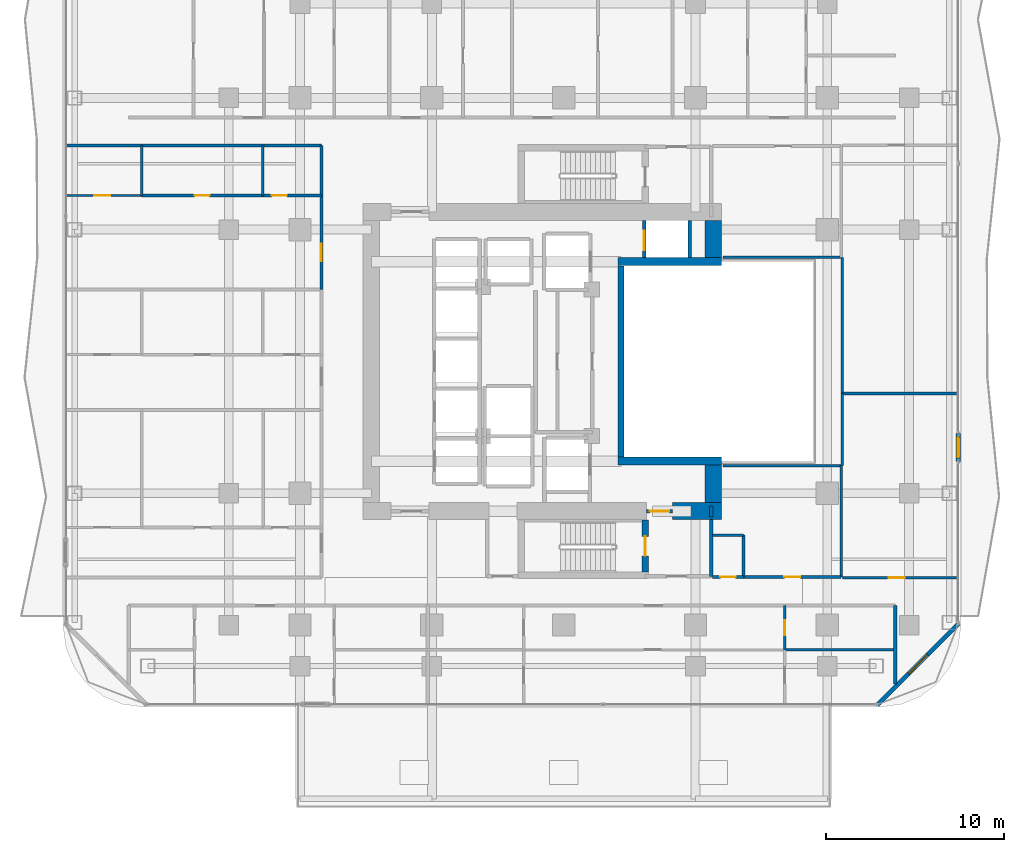
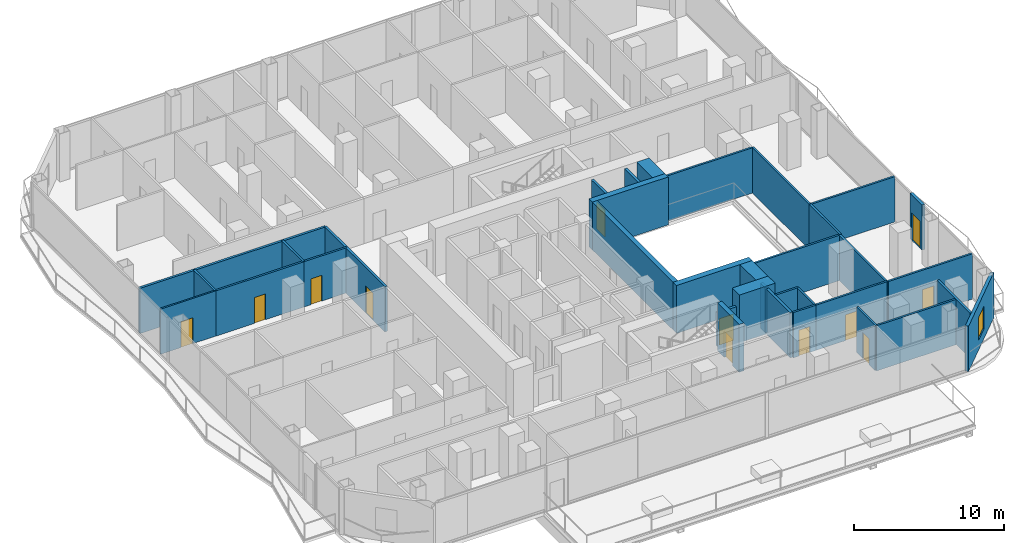
# One storey, part 21 of 29: 35 walls, 12 doors, 1 window, 13 openings.
"""IFC4 building model written with IfcOpenShell, lengths in metres."""

from ifc_helpers import new_model, si_unit, direction, frame, frame_2d, origin, place, context, subcontext, project, spatial, rectangle, extrude, material, layer, layer_set, type_object, element, fill, save


model = new_model("IFC4")

# Units and contexts
model_context = context("Model", 3, precision=1e-05, world=origin(), true_north=direction((0.0, 1.0)))
body_context = subcontext(model_context, "Body", "Model", "MODEL_VIEW")
ifc_project = project(units=[si_unit("LENGTHUNIT", "METRE"), si_unit("AREAUNIT", "SQUARE_METRE"), si_unit("VOLUMEUNIT", "CUBIC_METRE"), si_unit("PLANEANGLEUNIT", "RADIAN"), si_unit("MASSUNIT", "GRAM", prefix="KILO")], contexts=[model_context])

# Site, building, storey
site_placement = place(None, origin())
site = spatial("IfcSite", under=ifc_project, at=site_placement, CompositionType="ELEMENT")
building_placement = place(site_placement, origin())
building = spatial("IfcBuilding", under=site, at=building_placement, Name="Khorvyn Point Tower", CompositionType="ELEMENT")
storey_placement = place(building_placement, frame((0.0, 0.0, 85.199951171875)))
storey = spatial("IfcBuildingStorey", under=building, at=storey_placement, Name="L21", CompositionType="ELEMENT", Elevation=85.199951171875)

# Wall, opening, door
ifc_material_1 = material(Name="Double acoustic gypsum on twin steel stud", Category="steel")
ifc_layer_1 = layer(ifc_material_1, 0.179931640625)
ifc_layer_set_1 = layer_set([ifc_layer_1], Name="Acoustic Double-Stud Apartment Demising Wall 180")
wall_type_1 = type_object("IfcWallType", Name="Acoustic Double-Stud Apartment Demising Wall 180", PredefinedType="PARTITIONING", material=ifc_layer_set_1)
wall_1_placement = place(storey_placement, frame((-13.60009765625, 4.0400390625, 0.0), z_axis=(0.0, 0.0, 1.0), x_axis=(0.0, 1.0, 0.0)))
wall_1 = element("IfcWall", 1, at=wall_1_placement, inside=storey, type_object=wall_type_1, Name="Wall", PredefinedType="PARTITIONING", context=body_context, shape_type="SweptSolid", body=[
    extrude(rectangle(XDim=8.080078125, YDim=0.179931640625, at=frame_2d((4.0400390625, 0.0))), origin(), (0.0, 0.0, 1.0), 3.679931640625),
])
opening_1_placement = place(wall_1_placement, frame((1.583251953125, 0.0, 0.0)))
opening_1 = element("IfcOpeningElement", 2, at=opening_1_placement, cuts=wall_1, Name="Opening ID-AP60", PredefinedType="OPENING", context=body_context, shape_type="SweptSolid", body=[
    extrude(rectangle(XDim=1.0, YDim=2.199951171875, at=frame_2d((0.5, 1.10009765625))), frame((0.0, 0.099853515625, 0.0), z_axis=(0.0, -1.0, 0.0), x_axis=(1.0, 0.0, 0.0)), (0.0, 0.0, 1.0), 0.199951171875),
])
ifc_material_2 = material(Name="Engineered hardwood fire-rated leaf", Category="wood")
door_type_1 = type_object("IfcDoorType", Name="Acoustic Solid-Core Timber Apartment Entrance Door 1000x2200", OperationType="NOTDEFINED", PredefinedType="DOOR", material=ifc_material_2)
door_1_placement = place(opening_1_placement, origin())
door_1 = element("IfcDoor", 3, at=door_1_placement, inside=storey, type_object=door_type_1, Name="Door", OperationType="SINGLE_SWING_LEFT", OverallHeight=2.199951171875, OverallWidth=1.0, PredefinedType="DOOR", context=body_context, shape_type="SweptSolid", body=[
    extrude(rectangle(XDim=1.0, YDim=2.199951171875, at=frame_2d((0.5, 1.10009765625))), frame((0.0, 0.02490234375, 0.0), z_axis=(0.0, -1.0, 0.0), x_axis=(1.0, 0.0, 0.0)), (0.0, 0.0, 1.0), 0.050048828125),
])
fill(opening_1, door_1)

# Walls
wall_2_placement = place(storey_placement, frame((18.6201171875, -18.110107421875, 0.0), z_axis=(0.0, 0.0, 1.0), x_axis=(0.0, 1.0, 0.0)))
element("IfcWall", 4, at=wall_2_placement, inside=storey, type_object=wall_type_1, Name="Wall", PredefinedType="PARTITIONING", context=body_context, shape_type="SweptSolid", body=[
    extrude(rectangle(XDim=4.41015625, YDim=0.179931640625, at=frame_2d((2.205078125, 0.0))), origin(), (0.0, 0.0, 1.0), 3.679931640625),
])
wall_3_placement = place(storey_placement, frame((-27.929931640625, 12.1201171875, 0.0), z_axis=(0.0, 0.0, 1.0), x_axis=(1.0, 0.0, 0.0)))
element("IfcWall", 5, at=wall_3_placement, inside=storey, type_object=wall_type_1, Name="Wall", PredefinedType="PARTITIONING", context=body_context, shape_type="SweptSolid", body=[
    extrude(rectangle(XDim=14.329833984375, YDim=0.179931640625, at=frame_2d((7.1650390625, 0.0))), origin(), (0.0, 0.0, 1.0), 3.679931640625),
])

# Wall, opening, door
ifc_material_3 = material(Name="Pale anodised aluminium rainscreen on steel stud", Category="steel")
ifc_layer_2 = layer(ifc_material_3, 0.239990234375)
ifc_layer_set_2 = layer_set([ifc_layer_2], Name="Anodised Aluminium Insulated Corner Spandrel Wall 240")
wall_type_2 = type_object("IfcWallType", Name="Anodised Aluminium Insulated Corner Spandrel Wall 240", PredefinedType="SOLIDWALL", material=ifc_layer_set_2)
wall_4_placement = place(storey_placement, frame((22.14990234375, -4.0400390625, 0.0), z_axis=(0.0, 0.0, 1.0), x_axis=(0.0, -1.0, 0.0)))
wall_4 = element("IfcWall", 6, at=wall_4_placement, inside=storey, type_object=wall_type_2, Name="L21 East Outdoor Threshold Wall", PredefinedType="SOLIDWALL", context=body_context, shape_type="SweptSolid", body=[
    extrude(rectangle(XDim=1.580078125, YDim=0.239990234375, at=frame_2d((0.7900390625, 0.0))), origin(), (0.0, 0.0, 1.0), 3.679931640625),
])
opening_2_placement = place(wall_4_placement, frame((0.239990234375, 0.0, 0.0)))
opening_2 = element("IfcOpeningElement", 7, at=opening_2_placement, cuts=wall_4, Name="Opening BD-1122", PredefinedType="OPENING", context=body_context, shape_type="SweptSolid", body=[
    extrude(rectangle(XDim=1.10009765625, YDim=2.199951171875, at=frame_2d((0.550048828125, 1.10009765625))), frame((0.0, 0.1298828125, 0.0), z_axis=(0.0, -1.0, 0.0), x_axis=(1.0, 0.0, 0.0)), (0.0, 0.0, 1.0), 0.260009765625),
])
ifc_material_4 = material(Name="Anodised aluminium 6063-T6 and laminated Low-E glass", Category="aluminium")
door_type_2 = type_object("IfcDoorType", Name="Glazed Balcony and Terrace Threshold Door 1100x2200", OperationType="NOTDEFINED", PredefinedType="DOOR", material=ifc_material_4)
door_2_placement = place(opening_2_placement, origin())
door_2 = element("IfcDoor", 8, at=door_2_placement, inside=storey, type_object=door_type_2, Name="L21 East Glazed Balcony Outdoor Door", OperationType="SINGLE_SWING_RIGHT", OverallHeight=2.199951171875, OverallWidth=1.10009765625, PredefinedType="DOOR", context=body_context, shape_type="SweptSolid", body=[
    extrude(rectangle(XDim=1.10009765625, YDim=2.199951171875, at=frame_2d((0.550048828125, 1.10009765625))), frame((0.0, 0.02490234375, 0.0), z_axis=(0.0, -1.0, 0.0), x_axis=(1.0, 0.0, 0.0)), (0.0, 0.0, 1.0), 0.050048828125),
])
fill(opening_2, door_2)

# Wall, opening, window
wall_5_placement = place(storey_placement, frame((22.1923828125, -14.70751953125, 0.0), z_axis=(0.0, 0.0, 1.0), x_axis=(-0.707087954376, -0.707125607496, 0.0)))
wall_5 = element("IfcWall", 9, at=wall_5_placement, inside=storey, type_object=wall_type_2, Name="L21 Rounded Corner Wall SE", PredefinedType="SOLIDWALL", context=body_context, shape_type="SweptSolid", body=[
    extrude(rectangle(XDim=6.48388671875, YDim=0.239990234375, at=frame_2d((3.241943359375, 0.0))), origin(), (0.0, 0.0, 1.0), 3.679931640625),
])
opening_3_placement = place(wall_5_placement, frame((2.491943359375, 0.0, 0.800048828125)))
opening_3 = element("IfcOpeningElement", 10, at=opening_3_placement, cuts=wall_5, Name="Opening WN-1518", PredefinedType="OPENING", context=body_context, shape_type="SweptSolid", body=[
    extrude(rectangle(XDim=1.5, YDim=1.85009765625, at=frame_2d((0.75, 0.925048828125))), frame((0.0, 0.1298828125, 0.0), z_axis=(0.0, -1.0, 0.0), x_axis=(1.0, 0.0, 0.0)), (0.0, 0.0, 1.0), 0.260009765625),
])
window_type = type_object("IfcWindowType", Name="Anodised Aluminium Rounded-Corner Panoramic Window 1500x1850", PartitioningType="SINGLE_PANEL", PredefinedType="WINDOW", material=ifc_material_4)
window_placement = place(opening_3_placement, origin())
window = element("IfcWindow", 11, at=window_placement, inside=storey, type_object=window_type, Name="L21 Corner Panoramic Window SE", OverallHeight=1.85009765625, OverallWidth=1.5, PartitioningType="SINGLE_PANEL", PredefinedType="WINDOW", context=body_context, shape_type="SweptSolid", body=[
    extrude(rectangle(XDim=1.5, YDim=1.85009765625, at=frame_2d((0.75, 0.925048828125))), frame((0.0, 0.030029296875, 0.0), z_axis=(0.0, -1.0, 0.0), x_axis=(1.0, 0.0, 0.0)), (0.0, 0.0, 1.0), 0.06005859375),
])
fill(opening_3, window)

# Walls
ifc_material_5 = material(Name="Concrete C40/50", Category="concrete")
ifc_layer_3 = layer(ifc_material_5, 0.449951171875)
ifc_layer_set_3 = layer_set([ifc_layer_3], Name="Concrete C40/50 Core Shear Wall 450")
wall_type_3 = type_object("IfcWallType", Name="Concrete C40/50 Core Shear Wall 450", PredefinedType="SHEAR", material=ifc_layer_set_3)
for number, where, z_axis, x_axis, name in (
    (12, (3.044921875, -5.60009765625, 0.0), (0.0, 0.0, 1.0), (1.0, 0.0, 0.0), "Wall"),
    (13, (3.044921875, 5.60009765625, 0.0), (0.0, 0.0, 1.0), (1.0, 0.0, 0.0), "Wall"),
):
    element("IfcWall", number, at=place(storey_placement, frame(where, z_axis=z_axis, x_axis=x_axis)), inside=storey, type_object=wall_type_3, Name=name, PredefinedType="SHEAR", context=body_context, shape_type="SweptSolid", body=[
        extrude(rectangle(XDim=5.830078125, YDim=0.449951171875, at=frame_2d((2.9150390625, 0.0))), origin(), (0.0, 0.0, 1.0), 3.900146484375),
    ])

# Wall, opening, door
ifc_layer_4 = layer(ifc_material_5, 0.199951171875)
ifc_layer_set_4 = layer_set([ifc_layer_4], Name="Concrete C40/50 Fire-Lobby Compartment Wall 200")
wall_type_4 = type_object("IfcWallType", Name="Concrete C40/50 Fire-Lobby Compartment Wall 200", PredefinedType="SOLIDWALL", material=ifc_layer_set_4)
wall_6_placement = place(storey_placement, frame((4.64990234375, -8.39990234375, 0.0), z_axis=(0.0, 0.0, 1.0), x_axis=(1.0, 0.0, 0.0)))
wall_6 = element("IfcWall", 14, at=wall_6_placement, inside=storey, type_object=wall_type_4, Name="Wall", PredefinedType="SOLIDWALL", context=body_context, shape_type="SweptSolid", body=[
    extrude(rectangle(XDim=1.47021484375, YDim=0.199951171875, at=frame_2d((0.735107421875, 0.0))), origin(), (0.0, 0.0, 1.0), 2.719970703125),
])
opening_4_placement = place(wall_6_placement, frame((0.18505859375, 0.0, 0.0)))
opening_4 = element("IfcOpeningElement", 15, at=opening_4_placement, cuts=wall_6, Name="Opening ID-FL90", PredefinedType="OPENING", context=body_context, shape_type="SweptSolid", body=[
    extrude(rectangle(XDim=1.10009765625, YDim=2.14990234375, at=frame_2d((0.550048828125, 1.074951171875))), frame((0.0, 0.10986328125, 0.0), z_axis=(0.0, -1.0, 0.0), x_axis=(1.0, 0.0, 0.0)), (0.0, 0.0, 1.0), 0.219970703125),
])
ifc_material_6 = material(Name="Galvanised powder-coated steel", Category="steel")
door_type_3 = type_object("IfcDoorType", Name="Fire-Rated Steel Lobby and Stair Door 1100x2150", OperationType="NOTDEFINED", PredefinedType="DOOR", material=ifc_material_6)
door_3_placement = place(opening_4_placement, origin())
door_3 = element("IfcDoor", 16, at=door_3_placement, inside=storey, type_object=door_type_3, Name="Door", OperationType="SINGLE_SWING_LEFT", OverallHeight=2.14990234375, OverallWidth=1.10009765625, PredefinedType="DOOR", context=body_context, shape_type="SweptSolid", body=[
    extrude(rectangle(XDim=1.10009765625, YDim=2.14990234375, at=frame_2d((0.550048828125, 1.074951171875))), frame((0.0, 0.02490234375, 0.0), z_axis=(0.0, -1.0, 0.0), x_axis=(1.0, 0.0, 0.0)), (0.0, 0.0, 1.0), 0.050048828125),
])
fill(opening_4, door_3)

# Walls
wall_7_placement = place(storey_placement, frame((8.280029296875, -12.06005859375, 0.0), z_axis=(0.0, 0.0, 1.0), x_axis=(0.0, 1.0, 0.0)))
element("IfcWall", 17, at=wall_7_placement, inside=storey, type_object=wall_type_4, Name="Wall", PredefinedType="SOLIDWALL", context=body_context, shape_type="SweptSolid", body=[
    extrude(rectangle(XDim=3.18505859375, YDim=0.199951171875, at=frame_2d((1.592529296875, 0.0))), origin(), (0.0, 0.0, 1.0), 3.679931640625),
])
wall_8_placement = place(storey_placement, frame((8.280029296875, -8.72509765625, 0.0), z_axis=(0.0, 0.0, 1.0), x_axis=(0.0, 1.0, 0.0)))
element("IfcWall", 18, at=wall_8_placement, inside=storey, type_object=wall_type_4, Name="Wall", PredefinedType="SOLIDWALL", context=body_context, shape_type="SweptSolid", body=[
    extrude(rectangle(XDim=0.625, YDim=0.199951171875, at=frame_2d((0.3125, 0.0))), origin(), (0.0, 0.0, 1.0), 3.679931640625),
])
ifc_layer_5 = layer(ifc_material_5, 0.35009765625)
ifc_layer_set_5 = layer_set([ifc_layer_5], Name="Concrete C40/50 Stair Shaft Structural Wall 350")
wall_type_5 = type_object("IfcWallType", Name="Concrete C40/50 Stair Shaft Structural Wall 350", PredefinedType="SHEAR", material=ifc_layer_set_5)
wall_9_placement = place(storey_placement, frame((3.219970703125, -5.375, 0.0), z_axis=(0.0, 0.0, 1.0), x_axis=(0.0, 1.0, 0.0)))
element("IfcWall", 19, at=wall_9_placement, inside=storey, type_object=wall_type_5, Name="Wall", PredefinedType="SHEAR", context=body_context, shape_type="SweptSolid", body=[
    extrude(rectangle(XDim=10.75, YDim=0.35009765625, at=frame_2d((5.375, 0.0))), origin(), (0.0, 0.0, 1.0), 3.900146484375),
])

# Wall, opening, door
wall_10_placement = place(storey_placement, frame((4.580078125, -8.89990234375, 0.0), z_axis=(0.0, 0.0, 1.0), x_axis=(0.0, -1.0, 0.0)))
wall_10 = element("IfcWall", 20, at=wall_10_placement, inside=storey, type_object=wall_type_5, Name="L21 ST-01 East Landing Door Wall", PredefinedType="SHEAR", context=body_context, shape_type="SweptSolid", body=[
    extrude(rectangle(XDim=2.925048828125, YDim=0.35009765625, at=frame_2d((1.46240234375, 0.0))), origin(), (0.0, 0.0, 1.0), 3.900146484375),
])
opening_5_placement = place(wall_10_placement, frame((0.91259765625, 0.0, 0.0)))
opening_5 = element("IfcOpeningElement", 21, at=opening_5_placement, cuts=wall_10, Name="Opening ID-FL90", PredefinedType="OPENING", context=body_context, shape_type="SweptSolid", body=[
    extrude(rectangle(XDim=1.10009765625, YDim=2.14990234375, at=frame_2d((0.550048828125, 1.074951171875))), frame((0.0, 0.18505859375, 0.0), z_axis=(0.0, -1.0, 0.0), x_axis=(1.0, 0.0, 0.0)), (0.0, 0.0, 1.0), 0.3701171875),
])
door_4_placement = place(opening_5_placement, origin())
door_4 = element("IfcDoor", 22, at=door_4_placement, inside=storey, type_object=door_type_3, Name="L21 ST-01 Smokeproof Landing Door", OperationType="SINGLE_SWING_LEFT", OverallHeight=2.14990234375, OverallWidth=1.10009765625, PredefinedType="DOOR", context=body_context, shape_type="SweptSolid", body=[
    extrude(rectangle(XDim=1.10009765625, YDim=2.14990234375, at=frame_2d((0.550048828125, 1.074951171875))), frame((0.0, 0.02490234375, 0.0), z_axis=(0.0, -1.0, 0.0), x_axis=(1.0, 0.0, 0.0)), (0.0, 0.0, 1.0), 0.050048828125),
])
fill(opening_5, door_4)

ifc_layer_6 = layer(ifc_material_5, 0.199951171875)
ifc_layer_set_6 = layer_set([ifc_layer_6], Name="Concrete C40/50 Structural Hoistway and Stair Shaft Wall 200")
wall_type_6 = type_object("IfcWallType", Name="Concrete C40/50 Structural Hoistway and Stair Shaft Wall 200", PredefinedType="SHEAR", material=ifc_layer_set_6)
wall_11_placement = place(storey_placement, frame((4.52490234375, 5.824951171875, 0.0), z_axis=(0.0, 0.0, 1.0), x_axis=(0.0, 1.0, 0.0)))
wall_11 = element("IfcWall", 23, at=wall_11_placement, inside=storey, type_object=wall_type_6, Name="Wall", PredefinedType="SHEAR", context=body_context, shape_type="SweptSolid", body=[
    extrude(rectangle(XDim=2.10009765625, YDim=0.199951171875, at=frame_2d((1.050048828125, 0.0))), origin(), (0.0, 0.0, 1.0), 3.679931640625),
])
opening_6_placement = place(wall_11_placement, frame((0.425048828125, 0.0, 0.0)))
opening_6 = element("IfcOpeningElement", 24, at=opening_6_placement, cuts=wall_11, Name="Opening LD-1122", PredefinedType="OPENING", context=body_context, shape_type="SweptSolid", body=[
    extrude(rectangle(XDim=1.10009765625, YDim=2.199951171875, at=frame_2d((0.550048828125, 1.10009765625))), frame((0.0, 0.10986328125, 0.0), z_axis=(0.0, -1.0, 0.0), x_axis=(1.0, 0.0, 0.0)), (0.0, 0.0, 1.0), 0.219970703125),
])
ifc_material_7 = material(Name="Stainless steel 1.4301", Category="steel")
door_type_4 = type_object("IfcDoorType", Name="Stainless Steel Automatic Sliding Lift Landing Door 1100x2200", OperationType="SLIDING_TO_LEFT", PredefinedType="DOOR", material=ifc_material_7)
door_5_placement = place(opening_6_placement, origin())
door_5 = element("IfcDoor", 25, at=door_5_placement, inside=storey, type_object=door_type_4, Name="L21 FF-02 Sliding Lift Landing Door", OperationType="SLIDING_TO_LEFT", OverallHeight=2.199951171875, OverallWidth=1.10009765625, PredefinedType="DOOR", context=body_context, shape_type="SweptSolid", body=[
    extrude(rectangle(XDim=1.10009765625, YDim=2.199951171875, at=frame_2d((0.550048828125, 1.10009765625))), frame((0.0, 0.02490234375, 0.0), z_axis=(0.0, -1.0, 0.0), x_axis=(1.0, 0.0, 0.0)), (0.0, 0.0, 1.0), 0.050048828125),
])
fill(opening_6, door_5)

# Walls
wall_12_placement = place(storey_placement, frame((7.074951171875, 5.824951171875, 0.0), z_axis=(0.0, 0.0, 1.0), x_axis=(0.0, 1.0, 0.0)))
element("IfcWall", 26, at=wall_12_placement, inside=storey, type_object=wall_type_6, Name="Wall", PredefinedType="SHEAR", context=body_context, shape_type="SweptSolid", body=[
    extrude(rectangle(XDim=2.10009765625, YDim=0.199951171875, at=frame_2d((1.050048828125, 0.0))), origin(), (0.0, 0.0, 1.0), 3.679931640625),
])
ifc_material_8 = material(Name="Concrete C50/60", Category="concrete")
ifc_layer_7 = layer(ifc_material_8, 0.949951171875)
ifc_layer_set_7 = layer_set([ifc_layer_7], Name="Concrete C50/60 Core Shear Wall 950")
wall_type_7 = type_object("IfcWallType", Name="Concrete C50/60 Core Shear Wall 950", PredefinedType="SHEAR", material=ifc_layer_set_7)
wall_13_placement = place(storey_placement, frame((6.1201171875, -8.39990234375, 0.0), z_axis=(0.0, 0.0, 1.0), x_axis=(1.0, 0.0, 0.0)))
element("IfcWall", 27, at=wall_13_placement, inside=storey, type_object=wall_type_7, Name="Wall", PredefinedType="SHEAR", context=body_context, shape_type="SweptSolid", body=[
    extrude(rectangle(XDim=2.7548828125, YDim=0.949951171875, at=frame_2d((1.37744140625, 0.0))), origin(), (0.0, 0.0, 1.0), 3.900146484375),
])
for number, where, z_axis, x_axis, name in (
    (28, (8.39990234375, -7.925048828125, 0.0), (0.0, 0.0, 1.0), (0.0, 1.0, 0.0), "Wall"),
    (29, (8.39990234375, 5.824951171875, 0.0), (0.0, 0.0, 1.0), (0.0, 1.0, 0.0), "Wall"),
):
    element("IfcWall", number, at=place(storey_placement, frame(where, z_axis=z_axis, x_axis=x_axis)), inside=storey, type_object=wall_type_7, Name=name, PredefinedType="SHEAR", context=body_context, shape_type="SweptSolid", body=[
        extrude(rectangle(XDim=2.10009765625, YDim=0.949951171875, at=frame_2d((1.050048828125, 0.0))), origin(), (0.0, 0.0, 1.0), 3.900146484375),
    ])

# Wall, opening, door
ifc_material_9 = material(Name="Gypsum plasterboard on steel stud", Category="steel")
ifc_layer_8 = layer(ifc_material_9, 0.1201171875)
ifc_layer_set_8 = layer_set([ifc_layer_8], Name="Gypsum Acoustic Stud Room Partition Wall 120")
wall_type_8 = type_object("IfcWallType", Name="Gypsum Acoustic Stud Room Partition Wall 120", PredefinedType="PARTITIONING", material=ifc_layer_set_8)
wall_14_placement = place(storey_placement, frame((-27.929931640625, 9.320068359375, 0.0), z_axis=(0.0, 0.0, 1.0), x_axis=(1.0, 0.0, 0.0)))
wall_14 = element("IfcWall", 30, at=wall_14_placement, inside=storey, type_object=wall_type_8, Name="Wall", PredefinedType="PARTITIONING", context=body_context, shape_type="SweptSolid", body=[
    extrude(rectangle(XDim=4.239990234375, YDim=0.1201171875, at=frame_2d((2.1201171875, 0.0))), origin(), (0.0, 0.0, 1.0), 3.679931640625),
])
opening_7_placement = place(wall_14_placement, frame((1.581298828125, 0.0, 0.0)))
opening_7 = element("IfcOpeningElement", 31, at=opening_7_placement, cuts=wall_14, Name="Opening ID-RM90", PredefinedType="OPENING", context=body_context, shape_type="SweptSolid", body=[
    extrude(rectangle(XDim=0.89990234375, YDim=2.10009765625, at=frame_2d((0.449951171875, 1.050048828125))), frame((0.0, 0.070068359375, 0.0), z_axis=(0.0, -1.0, 0.0), x_axis=(1.0, 0.0, 0.0)), (0.0, 0.0, 1.0), 0.14013671875),
])
ifc_material_10 = material(Name="Engineered oak veneer timber", Category="wood")
door_type_5 = type_object("IfcDoorType", Name="Flush Engineered Timber Room Door 900x2100", OperationType="NOTDEFINED", PredefinedType="DOOR", material=ifc_material_10)
door_6_placement = place(opening_7_placement, origin())
door_6 = element("IfcDoor", 32, at=door_6_placement, inside=storey, type_object=door_type_5, Name="Door", OperationType="SINGLE_SWING_RIGHT", OverallHeight=2.10009765625, OverallWidth=0.89990234375, PredefinedType="DOOR", context=body_context, shape_type="SweptSolid", body=[
    extrude(rectangle(XDim=0.89990234375, YDim=2.10009765625, at=frame_2d((0.449951171875, 1.050048828125))), frame((0.0, 0.02490234375, 0.0), z_axis=(0.0, -1.0, 0.0), x_axis=(1.0, 0.0, 0.0)), (0.0, 0.0, 1.0), 0.050048828125),
])
fill(opening_7, door_6)

ifc_material_11 = material(Name="Moisture-resistant gypsum and cement board", Category="gypsum")
ifc_layer_9 = layer(ifc_material_11, 0.14990234375)
ifc_layer_set_9 = layer_set([ifc_layer_9], Name="Moisture-Resistant Wet-Room Partition Wall 150")
wall_type_9 = type_object("IfcWallType", Name="Moisture-Resistant Wet-Room Partition Wall 150", PredefinedType="PARTITIONING", material=ifc_layer_set_9)
wall_15_placement = place(storey_placement, frame((8.360107421875, -12.10009765625, 0.0), z_axis=(0.0, 0.0, 1.0), x_axis=(1.0, 0.0, 0.0)))
wall_15 = element("IfcWall", 33, at=wall_15_placement, inside=storey, type_object=wall_type_9, Name="Wall", PredefinedType="PARTITIONING", context=body_context, shape_type="SweptSolid", body=[
    extrude(rectangle(XDim=1.739990234375, YDim=0.14990234375, at=frame_2d((0.8701171875, 0.0))), origin(), (0.0, 0.0, 1.0), 3.679931640625),
])
opening_8_placement = place(wall_15_placement, frame((0.445068359375, 0.0, 0.0)))
opening_8 = element("IfcOpeningElement", 34, at=opening_8_placement, cuts=wall_15, Name="Opening ID-WC85", PredefinedType="OPENING", context=body_context, shape_type="SweptSolid", body=[
    extrude(rectangle(XDim=0.85009765625, YDim=2.10009765625, at=frame_2d((0.425048828125, 1.050048828125))), frame((0.0, 0.0849609375, 0.0), z_axis=(0.0, -1.0, 0.0), x_axis=(1.0, 0.0, 0.0)), (0.0, 0.0, 1.0), 0.169921875),
])
ifc_material_12 = material(Name="High-pressure laminate on moisture-resistant core", Category="wood")
door_type_6 = type_object("IfcDoorType", Name="Moisture-Resistant Accessible Washroom Door 850x2100", OperationType="NOTDEFINED", PredefinedType="DOOR", material=ifc_material_12)
door_7_placement = place(opening_8_placement, origin())
door_7 = element("IfcDoor", 35, at=door_7_placement, inside=storey, type_object=door_type_6, Name="Door", OperationType="SINGLE_SWING_RIGHT", OverallHeight=2.10009765625, OverallWidth=0.85009765625, PredefinedType="DOOR", context=body_context, shape_type="SweptSolid", body=[
    extrude(rectangle(XDim=0.85009765625, YDim=2.10009765625, at=frame_2d((0.425048828125, 1.050048828125))), frame((0.0, 0.02490234375, 0.0), z_axis=(0.0, -1.0, 0.0), x_axis=(1.0, 0.0, 0.0)), (0.0, 0.0, 1.0), 0.050048828125),
])
fill(opening_8, door_7)

wall_16_placement = place(storey_placement, frame((10.10009765625, -12.10009765625, 0.0), z_axis=(0.0, 0.0, 1.0), x_axis=(1.0, 0.0, 0.0)))
wall_16 = element("IfcWall", 36, at=wall_16_placement, inside=storey, type_object=wall_type_9, Name="Wall", PredefinedType="PARTITIONING", context=body_context, shape_type="SweptSolid", body=[
    extrude(rectangle(XDim=5.47998046875, YDim=0.14990234375, at=frame_2d((2.739990234375, 0.0))), origin(), (0.0, 0.0, 1.0), 3.679931640625),
])
opening_9_placement = place(wall_16_placement, frame((2.2900390625, 0.0, 0.0)))
opening_9 = element("IfcOpeningElement", 37, at=opening_9_placement, cuts=wall_16, Name="Opening ID-RM90", PredefinedType="OPENING", context=body_context, shape_type="SweptSolid", body=[
    extrude(rectangle(XDim=0.89990234375, YDim=2.10009765625, at=frame_2d((0.449951171875, 1.050048828125))), frame((0.0, 0.0849609375, 0.0), z_axis=(0.0, -1.0, 0.0), x_axis=(1.0, 0.0, 0.0)), (0.0, 0.0, 1.0), 0.169921875),
])
door_8_placement = place(opening_9_placement, origin())
door_8 = element("IfcDoor", 38, at=door_8_placement, inside=storey, type_object=door_type_5, Name="Door", OperationType="SINGLE_SWING_LEFT", OverallHeight=2.10009765625, OverallWidth=0.89990234375, PredefinedType="DOOR", context=body_context, shape_type="SweptSolid", body=[
    extrude(rectangle(XDim=0.89990234375, YDim=2.10009765625, at=frame_2d((0.449951171875, 1.050048828125))), frame((0.0, 0.02490234375, 0.0), z_axis=(0.0, -1.0, 0.0), x_axis=(1.0, 0.0, 0.0)), (0.0, 0.0, 1.0), 0.050048828125),
])
fill(opening_9, door_8)

wall_17_placement = place(storey_placement, frame((12.4140625, -16.18994140625, 0.0), z_axis=(0.0, 0.0, 1.0), x_axis=(0.0, 1.0, 0.0)))
wall_17 = element("IfcWall", 39, at=wall_17_placement, inside=storey, type_object=wall_type_9, Name="Wall", PredefinedType="PARTITIONING", context=body_context, shape_type="SweptSolid", body=[
    extrude(rectangle(XDim=2.489990234375, YDim=0.14990234375, at=frame_2d((1.2451171875, 0.0))), origin(), (0.0, 0.0, 1.0), 3.679931640625),
])
opening_10_placement = place(wall_17_placement, frame((0.820068359375, 0.0, 0.0)))
opening_10 = element("IfcOpeningElement", 40, at=opening_10_placement, cuts=wall_17, Name="Opening ID-WC85", PredefinedType="OPENING", context=body_context, shape_type="SweptSolid", body=[
    extrude(rectangle(XDim=0.85009765625, YDim=2.10009765625, at=frame_2d((0.425048828125, 1.050048828125))), frame((0.0, 0.0849609375, 0.0), z_axis=(0.0, -1.0, 0.0), x_axis=(1.0, 0.0, 0.0)), (0.0, 0.0, 1.0), 0.169921875),
])
door_9_placement = place(opening_10_placement, origin())
door_9 = element("IfcDoor", 41, at=door_9_placement, inside=storey, type_object=door_type_6, Name="Door", OperationType="SINGLE_SWING_LEFT", OverallHeight=2.10009765625, OverallWidth=0.85009765625, PredefinedType="DOOR", context=body_context, shape_type="SweptSolid", body=[
    extrude(rectangle(XDim=0.85009765625, YDim=2.10009765625, at=frame_2d((0.425048828125, 1.050048828125))), frame((0.0, 0.02490234375, 0.0), z_axis=(0.0, -1.0, 0.0), x_axis=(1.0, 0.0, 0.0)), (0.0, 0.0, 1.0), 0.050048828125),
])
fill(opening_10, door_9)

wall_18_placement = place(storey_placement, frame((-23.68994140625, 9.320068359375, 0.0), z_axis=(0.0, 0.0, 1.0), x_axis=(1.0, 0.0, 0.0)))
wall_18 = element("IfcWall", 42, at=wall_18_placement, inside=storey, type_object=wall_type_9, Name="Wall", PredefinedType="PARTITIONING", context=body_context, shape_type="SweptSolid", body=[
    extrude(rectangle(XDim=6.787841796875, YDim=0.14990234375, at=frame_2d((3.39404296875, 0.0))), origin(), (0.0, 0.0, 1.0), 3.679931640625),
])
opening_11_placement = place(wall_18_placement, frame((2.968994140625, 0.0, 0.0)))
opening_11 = element("IfcOpeningElement", 43, at=opening_11_placement, cuts=wall_18, Name="Opening ID-WC85", PredefinedType="OPENING", context=body_context, shape_type="SweptSolid", body=[
    extrude(rectangle(XDim=0.85009765625, YDim=2.10009765625, at=frame_2d((0.425048828125, 1.050048828125))), frame((0.0, 0.0849609375, 0.0), z_axis=(0.0, -1.0, 0.0), x_axis=(1.0, 0.0, 0.0)), (0.0, 0.0, 1.0), 0.169921875),
])
door_10_placement = place(opening_11_placement, origin())
door_10 = element("IfcDoor", 44, at=door_10_placement, inside=storey, type_object=door_type_6, Name="Door", OperationType="SINGLE_SWING_RIGHT", OverallHeight=2.10009765625, OverallWidth=0.85009765625, PredefinedType="DOOR", context=body_context, shape_type="SweptSolid", body=[
    extrude(rectangle(XDim=0.85009765625, YDim=2.10009765625, at=frame_2d((0.425048828125, 1.050048828125))), frame((0.0, 0.02490234375, 0.0), z_axis=(0.0, -1.0, 0.0), x_axis=(1.0, 0.0, 0.0)), (0.0, 0.0, 1.0), 0.050048828125),
])
fill(opening_11, door_10)

wall_19_placement = place(storey_placement, frame((-16.902099609375, 9.320068359375, 0.0), z_axis=(0.0, 0.0, 1.0), x_axis=(1.0, 0.0, 0.0)))
wall_19 = element("IfcWall", 45, at=wall_19_placement, inside=storey, type_object=wall_type_9, Name="Wall", PredefinedType="PARTITIONING", context=body_context, shape_type="SweptSolid", body=[
    extrude(rectangle(XDim=3.302001953125, YDim=0.14990234375, at=frame_2d((1.65087890625, 0.0))), origin(), (0.0, 0.0, 1.0), 3.679931640625),
])
opening_12_placement = place(wall_19_placement, frame((0.515380859375, 0.0, 0.0)))
opening_12 = element("IfcOpeningElement", 46, at=opening_12_placement, cuts=wall_19, Name="Opening ID-WC85", PredefinedType="OPENING", context=body_context, shape_type="SweptSolid", body=[
    extrude(rectangle(XDim=0.85009765625, YDim=2.10009765625, at=frame_2d((0.425048828125, 1.050048828125))), frame((0.0, 0.0849609375, 0.0), z_axis=(0.0, -1.0, 0.0), x_axis=(1.0, 0.0, 0.0)), (0.0, 0.0, 1.0), 0.169921875),
])
door_11_placement = place(opening_12_placement, origin())
door_11 = element("IfcDoor", 47, at=door_11_placement, inside=storey, type_object=door_type_6, Name="Door", OperationType="SINGLE_SWING_LEFT", OverallHeight=2.10009765625, OverallWidth=0.85009765625, PredefinedType="DOOR", context=body_context, shape_type="SweptSolid", body=[
    extrude(rectangle(XDim=0.85009765625, YDim=2.10009765625, at=frame_2d((0.425048828125, 1.050048828125))), frame((0.0, 0.02490234375, 0.0), z_axis=(0.0, -1.0, 0.0), x_axis=(1.0, 0.0, 0.0)), (0.0, 0.0, 1.0), 0.050048828125),
])
fill(opening_12, door_11)

wall_20_placement = place(storey_placement, frame((15.64990234375, -12.139892578125, 0.0), z_axis=(0.0, 0.0, 1.0), x_axis=(1.0, 0.0, 0.0)))
wall_20 = element("IfcWall", 48, at=wall_20_placement, inside=storey, type_object=wall_type_9, Name="Wall", PredefinedType="PARTITIONING", context=body_context, shape_type="SweptSolid", body=[
    extrude(rectangle(XDim=6.47021484375, YDim=0.14990234375, at=frame_2d((3.235107421875, 0.0))), origin(), (0.0, 0.0, 1.0), 3.679931640625),
])
opening_13_placement = place(wall_20_placement, frame((2.610107421875, 0.0, 0.0)))
opening_13 = element("IfcOpeningElement", 49, at=opening_13_placement, cuts=wall_20, Name="Opening ID-RM90", PredefinedType="OPENING", context=body_context, shape_type="SweptSolid", body=[
    extrude(rectangle(XDim=0.89990234375, YDim=2.10009765625, at=frame_2d((0.449951171875, 1.050048828125))), frame((0.0, 0.0849609375, 0.0), z_axis=(0.0, -1.0, 0.0), x_axis=(1.0, 0.0, 0.0)), (0.0, 0.0, 1.0), 0.169921875),
])
door_12_placement = place(opening_13_placement, origin())
door_12 = element("IfcDoor", 50, at=door_12_placement, inside=storey, type_object=door_type_5, Name="Door", OperationType="SINGLE_SWING_LEFT", OverallHeight=2.10009765625, OverallWidth=0.89990234375, PredefinedType="DOOR", context=body_context, shape_type="SweptSolid", body=[
    extrude(rectangle(XDim=0.89990234375, YDim=2.10009765625, at=frame_2d((0.449951171875, 1.050048828125))), frame((0.0, 0.02490234375, 0.0), z_axis=(0.0, -1.0, 0.0), x_axis=(1.0, 0.0, 0.0)), (0.0, 0.0, 1.0), 0.050048828125),
])
fill(opening_13, door_12)

# Walls
wall_21_placement = place(storey_placement, frame((8.360107421875, -9.75, 0.0), z_axis=(0.0, 0.0, 1.0), x_axis=(1.0, 0.0, 0.0)))
element("IfcWall", 51, at=wall_21_placement, inside=storey, type_object=wall_type_9, Name="Wall", PredefinedType="PARTITIONING", context=body_context, shape_type="SweptSolid", body=[
    extrude(rectangle(XDim=1.739990234375, YDim=0.14990234375, at=frame_2d((0.8701171875, 0.0))), origin(), (0.0, 0.0, 1.0), 3.679931640625),
])
wall_22_placement = place(storey_placement, frame((10.10009765625, -12.10009765625, 0.0), z_axis=(0.0, 0.0, 1.0), x_axis=(0.0, 1.0, 0.0)))
element("IfcWall", 52, at=wall_22_placement, inside=storey, type_object=wall_type_9, Name="Wall", PredefinedType="PARTITIONING", context=body_context, shape_type="SweptSolid", body=[
    extrude(rectangle(XDim=2.35009765625, YDim=0.14990234375, at=frame_2d((1.175048828125, 0.0))), origin(), (0.0, 0.0, 1.0), 3.679931640625),
])
wall_23_placement = place(storey_placement, frame((15.580078125, -12.10009765625, 0.0), z_axis=(0.0, 0.0, 1.0), x_axis=(0.0, 1.0, 0.0)))
element("IfcWall", 53, at=wall_23_placement, inside=storey, type_object=wall_type_9, Name="Wall", PredefinedType="PARTITIONING", context=body_context, shape_type="SweptSolid", body=[
    extrude(rectangle(XDim=6.25, YDim=0.14990234375, at=frame_2d((3.125, 0.0))), origin(), (0.0, 0.0, 1.0), 3.679931640625),
])
for number, where, z_axis, x_axis, name in (
    (54, (8.9599609375, -5.85009765625, 0.0), (0.0, 0.0, 1.0), (1.0, 0.0, 0.0), "Wall"),
    (55, (8.9599609375, 5.85009765625, 0.0), (0.0, 0.0, 1.0), (1.0, 0.0, 0.0), "Wall"),
):
    element("IfcWall", number, at=place(storey_placement, frame(where, z_axis=z_axis, x_axis=x_axis)), inside=storey, type_object=wall_type_9, Name=name, PredefinedType="PARTITIONING", context=body_context, shape_type="SweptSolid", body=[
        extrude(rectangle(XDim=6.6201171875, YDim=0.14990234375, at=frame_2d((3.31005859375, 0.0))), origin(), (0.0, 0.0, 1.0), 3.679931640625),
    ])
wall_24_placement = place(storey_placement, frame((12.4140625, -16.18994140625, 0.0), z_axis=(0.0, 0.0, 1.0), x_axis=(1.0, 0.0, 0.0)))
element("IfcWall", 56, at=wall_24_placement, inside=storey, type_object=wall_type_9, Name="Wall", PredefinedType="PARTITIONING", context=body_context, shape_type="SweptSolid", body=[
    extrude(rectangle(XDim=6.2060546875, YDim=0.14990234375, at=frame_2d((3.10302734375, 0.0))), origin(), (0.0, 0.0, 1.0), 3.679931640625),
])
for number, where, z_axis, x_axis, name in (
    (57, (-16.902099609375, 9.320068359375, 0.0), (0.0, 0.0, 1.0), (0.0, 1.0, 0.0), "Wall"),
    (58, (-23.68994140625, 9.320068359375, 0.0), (0.0, 0.0, 1.0), (0.0, 1.0, 0.0), "Wall"),
):
    element("IfcWall", number, at=place(storey_placement, frame(where, z_axis=z_axis, x_axis=x_axis)), inside=storey, type_object=wall_type_9, Name=name, PredefinedType="PARTITIONING", context=body_context, shape_type="SweptSolid", body=[
        extrude(rectangle(XDim=2.800048828125, YDim=0.14990234375, at=frame_2d((1.39990234375, 0.0))), origin(), (0.0, 0.0, 1.0), 3.679931640625),
    ])
wall_25_placement = place(storey_placement, frame((15.64990234375, -5.85009765625, 0.0), z_axis=(0.0, 0.0, 1.0), x_axis=(0.0, 1.0, 0.0)))
element("IfcWall", 59, at=wall_25_placement, inside=storey, type_object=wall_type_9, Name="Wall", PredefinedType="PARTITIONING", context=body_context, shape_type="SweptSolid", body=[
    extrude(rectangle(XDim=4.050048828125, YDim=0.14990234375, at=frame_2d((2.02490234375, 0.0))), origin(), (0.0, 0.0, 1.0), 3.679931640625),
])
wall_26_placement = place(storey_placement, frame((15.64990234375, -1.800048828125, 0.0), z_axis=(0.0, 0.0, 1.0), x_axis=(0.0, 1.0, 0.0)))
element("IfcWall", 60, at=wall_26_placement, inside=storey, type_object=wall_type_9, Name="Wall", PredefinedType="PARTITIONING", context=body_context, shape_type="SweptSolid", body=[
    extrude(rectangle(XDim=7.650146484375, YDim=0.14990234375, at=frame_2d((3.8251953125, 0.0))), origin(), (0.0, 0.0, 1.0), 3.679931640625),
])
wall_27_placement = place(storey_placement, frame((15.64990234375, -1.800048828125, 0.0), z_axis=(0.0, 0.0, 1.0), x_axis=(1.0, 0.0, 0.0)))
element("IfcWall", 61, at=wall_27_placement, inside=storey, type_object=wall_type_9, Name="Wall", PredefinedType="PARTITIONING", context=body_context, shape_type="SweptSolid", body=[
    extrude(rectangle(XDim=6.47998046875, YDim=0.14990234375, at=frame_2d((3.239990234375, 0.0))), origin(), (0.0, 0.0, 1.0), 3.679931640625),
])

save(model, "model.ifc")
